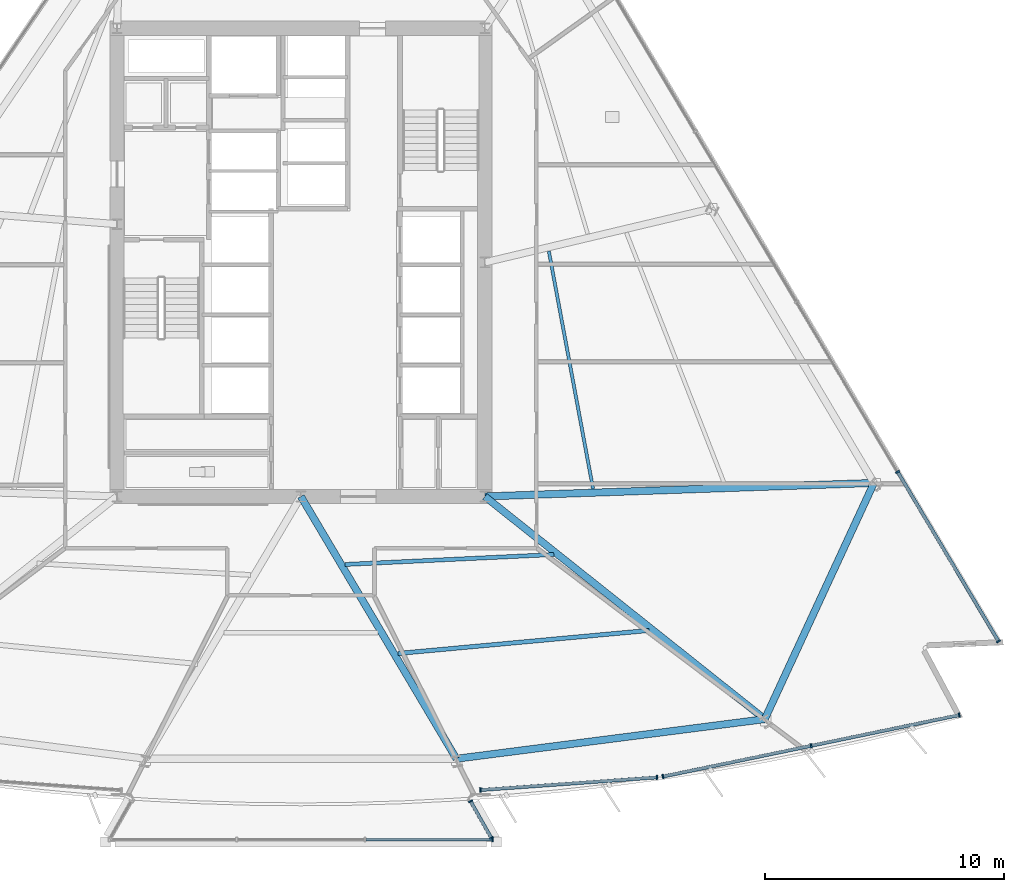
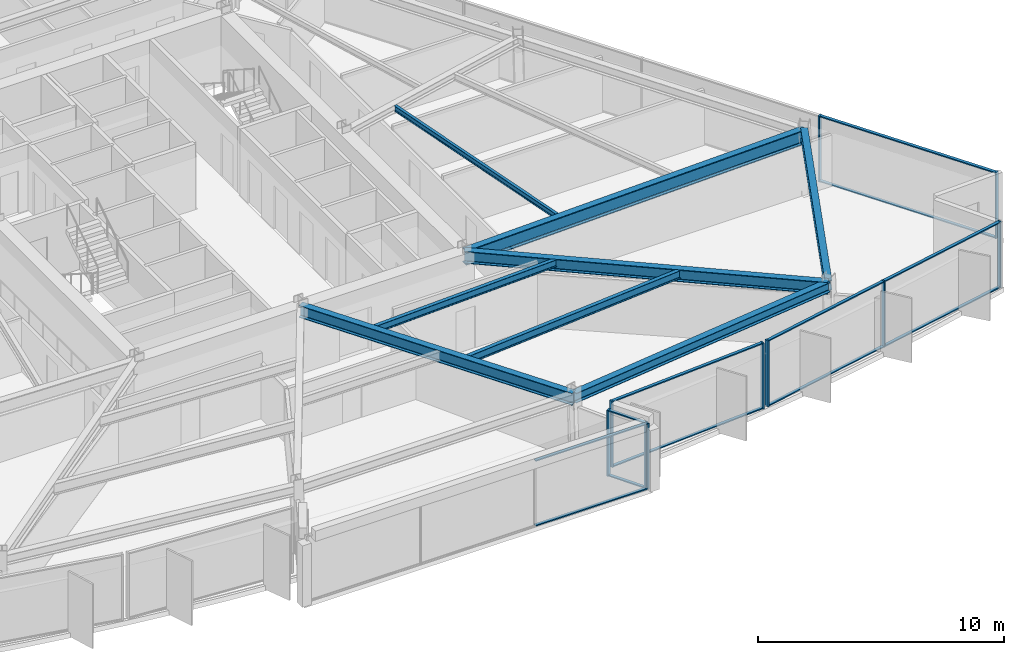
# One storey, part 5 of 16: 22 members, 8 beams, 5 elements without a shape of their own.
"""IFC4 building model written with IfcOpenShell, lengths in metres."""

from ifc_helpers import new_model, si_unit, direction, frame, origin, origin_2d, place, context, subcontext, project, spatial, rectangle, i_section, extrude, material, material_profile, profile_set, type_object, element, aggregate, save


model = new_model("IFC4")

# Units and contexts
model_context = context("Model", 3, precision=1e-05, world=origin(), true_north=direction((0.0, 1.0)))
body_context = subcontext(model_context, "Body", "Model", "MODEL_VIEW")
ifc_project = project(units=[si_unit("LENGTHUNIT", "METRE"), si_unit("AREAUNIT", "SQUARE_METRE"), si_unit("VOLUMEUNIT", "CUBIC_METRE"), si_unit("PLANEANGLEUNIT", "RADIAN"), si_unit("MASSUNIT", "GRAM", prefix="KILO")], contexts=[model_context])

# Site, building, storey
site_placement = place(None, origin())
site = spatial("IfcSite", under=ifc_project, at=site_placement, CompositionType="ELEMENT")
building_placement = place(site_placement, origin())
building = spatial("IfcBuilding", under=site, at=building_placement, Name="Savorim Split Tower", CompositionType="ELEMENT")
storey_placement = place(building_placement, frame((0.0, 0.0, 69.60009765625)))
storey = spatial("IfcBuildingStorey", under=building, at=storey_placement, Name="L18", CompositionType="ELEMENT", Elevation=69.60009765625)

# Beams
ifc_material_1 = material(Name="Steel S355", Category="steel")
ifc_material_profile_1 = material_profile(ifc_material_1, i_section(OverallWidth=0.135009765625, OverallDepth=0.27001953125, WebThickness=0.006591796875, FlangeThickness=0.01025390625, FilletRadius=0.014892578125, at=origin_2d()), Name="IPE 270")
ifc_profile_set_1 = profile_set([ifc_material_profile_1], Name="Steel S355")
beam_type_1 = type_object("IfcBeamType", Name="BM-JST-IPE270", PredefinedType="JOIST", material=ifc_profile_set_1)
beam_1_placement = place(storey_placement, frame((12.232666015625, -9.084228515625, 3.14501953125), z_axis=(-0.182992987881, 0.983114218383, 0.0), x_axis=(-0.983114218383, -0.182992987881, 0.0)))
element("IfcBeam", 1, at=beam_1_placement, inside=storey, type_object=beam_type_1, Name="L18 Secondary Floor Joist JS-08", PredefinedType="JOIST", context=body_context, shape_type="SweptSolid", body=[
    extrude(i_section(OverallWidth=0.135009765625, OverallDepth=0.27001953125, WebThickness=0.006591796875, FlangeThickness=0.01025390625, FilletRadius=0.014892578125, at=origin_2d()), origin(), (0.0, 0.0, 1.0), 10.12744140625),
])
ifc_material_profile_2 = material_profile(ifc_material_1, i_section(OverallWidth=0.169921875, OverallDepth=0.360107421875, WebThickness=0.008056640625, FlangeThickness=0.0126953125, FilletRadius=0.01806640625, at=origin_2d()), Name="IPE 360")
ifc_profile_set_2 = profile_set([ifc_material_profile_2], Name="Steel S355")
beam_type_2 = type_object("IfcBeamType", Name="BM-JST-IPE360", PredefinedType="JOIST", material=ifc_profile_set_2)
beam_2_placement = place(storey_placement, frame((1.85205078125, -12.247802734375, 3.099853515625), z_axis=(0.998867885068, 0.047570454895, 0.0), x_axis=(-0.047570454895, 0.998867885068, 0.0)))
element("IfcBeam", 2, at=beam_2_placement, inside=storey, type_object=beam_type_2, Name="L18 Secondary Floor Joist JS-05", PredefinedType="JOIST", context=body_context, shape_type="SweptSolid", body=[
    extrude(i_section(OverallWidth=0.169921875, OverallDepth=0.360107421875, WebThickness=0.008056640625, FlangeThickness=0.0126953125, FilletRadius=0.01806640625, at=origin_2d()), origin(), (0.0, 0.0, 1.0), 8.745361328125),
])
ifc_material_profile_3 = material_profile(ifc_material_1, i_section(OverallWidth=0.179931640625, OverallDepth=0.39990234375, WebThickness=0.008544921875, FlangeThickness=0.013427734375, FilletRadius=0.02099609375, at=origin_2d()), Name="IPE 400")
ifc_profile_set_3 = profile_set([ifc_material_profile_3], Name="Steel S355")
beam_type_3 = type_object("IfcBeamType", Name="BM-JST-IPE400", PredefinedType="JOIST", material=ifc_profile_set_3)
beam_3_placement = place(storey_placement, frame((4.064453125, -15.974609375, 3.079833984375), z_axis=(0.995804742717, 0.091503630433, 0.0), x_axis=(-0.091503630433, 0.995804742717, 0.0)))
element("IfcBeam", 3, at=beam_3_placement, inside=storey, type_object=beam_type_3, Name="L18 Secondary Floor Joist JS-04", PredefinedType="JOIST", context=body_context, shape_type="SweptSolid", body=[
    extrude(i_section(OverallWidth=0.179931640625, OverallDepth=0.39990234375, WebThickness=0.008544921875, FlangeThickness=0.013427734375, FilletRadius=0.02099609375, at=origin_2d()), origin(), (0.0, 0.0, 1.0), 10.55224609375),
])
ifc_material_profile_4 = material_profile(ifc_material_1, i_section(OverallWidth=0.300048828125, OverallDepth=0.60009765625, WebThickness=0.015380859375, FlangeThickness=0.030029296875, FilletRadius=0.027099609375, at=origin_2d()), Name="HEB 600")
ifc_profile_set_4 = profile_set([ifc_material_profile_4], Name="Steel S355")
beam_type_4 = type_object("IfcBeamType", Name="BM-PRI-HEB600", PredefinedType="BEAM", material=ifc_profile_set_4)
beam_4_placement = place(storey_placement, frame((6.508544921875, -20.3818359375, 2.97998046875), z_axis=(-0.509844852296, 0.860266369555, 0.0), x_axis=(-0.860266369555, -0.509844852296, 0.0)))
element("IfcBeam", 4, at=beam_4_placement, inside=storey, type_object=beam_type_4, Name="L18 Primary Floor Girder RG-03", PredefinedType="BEAM", context=body_context, shape_type="SweptSolid", body=[
    extrude(i_section(OverallWidth=0.300048828125, OverallDepth=0.60009765625, WebThickness=0.015380859375, FlangeThickness=0.030029296875, FilletRadius=0.027099609375, at=origin_2d()), origin(), (0.0, 0.0, 1.0), 12.765625),
])
beam_5_placement = place(storey_placement, frame((19.419677734375, -18.72412109375, 2.97998046875), z_axis=(-0.782545457248, 0.622593452696, 0.0), x_axis=(-0.622593452696, -0.782545457248, 0.0)))
element("IfcBeam", 5, at=beam_5_placement, inside=storey, type_object=beam_type_4, Name="L18 Primary Floor Girder RG-04", PredefinedType="BEAM", context=body_context, shape_type="SweptSolid", body=[
    extrude(i_section(OverallWidth=0.300048828125, OverallDepth=0.60009765625, WebThickness=0.015380859375, FlangeThickness=0.030029296875, FilletRadius=0.027099609375, at=origin_2d()), origin(), (0.0, 0.0, 1.0), 14.976318359375),
])
ifc_material_2 = material(Name="Steel S460", Category="steel")
ifc_material_profile_5 = material_profile(ifc_material_2, i_section(OverallWidth=0.303955078125, OverallDepth=0.716064453125, WebThickness=0.02099609375, FlangeThickness=0.0400390625, FilletRadius=0.027099609375, at=origin_2d()), Name="HE 700 M")
ifc_profile_set_5 = profile_set([ifc_material_profile_5], Name="Steel S460")
beam_type_5 = type_object("IfcBeamType", Name="BM-PRI-HEM700", PredefinedType="BEAM", material=ifc_profile_set_5)
beam_6_placement = place(storey_placement, frame((23.99267578125, -8.83447265625, 2.921875), z_axis=(-0.999398344759, -0.03468354786, 0.0), x_axis=(0.03468354786, -0.999398344759, 0.0)))
element("IfcBeam", 6, at=beam_6_placement, inside=storey, type_object=beam_type_5, Name="L18 Primary Floor Girder RG-05", PredefinedType="BEAM", context=body_context, shape_type="SweptSolid", body=[
    extrude(i_section(OverallWidth=0.303955078125, OverallDepth=0.716064453125, WebThickness=0.02099609375, FlangeThickness=0.0400390625, FilletRadius=0.027099609375, at=origin_2d()), origin(), (0.0, 0.0, 1.0), 16.302490234375),
])
ifc_material_profile_6 = material_profile(ifc_material_1, i_section(OverallWidth=0.300048828125, OverallDepth=0.489990234375, WebThickness=0.011962890625, FlangeThickness=0.02294921875, FilletRadius=0.027099609375, at=origin_2d()), Name="HEA 500")
ifc_profile_set_6 = profile_set([ifc_material_profile_6], Name="Steel S355")
beam_type_6 = type_object("IfcBeamType", Name="BM-SPN-HEA500", PredefinedType="SPANDREL", material=ifc_profile_set_6)
beam_7_placement = place(storey_placement, frame((6.508544921875, -20.3818359375, 3.034912109375), z_axis=(0.991857991032, 0.127348834413, 0.0), x_axis=(-0.127348834413, 0.991857991032, 0.0)))
element("IfcBeam", 7, at=beam_7_placement, inside=storey, type_object=beam_type_6, Name="L18 Perimeter Spandrel Beam 3", PredefinedType="SPANDREL", context=body_context, shape_type="SweptSolid", body=[
    extrude(i_section(OverallWidth=0.300048828125, OverallDepth=0.489990234375, WebThickness=0.011962890625, FlangeThickness=0.02294921875, FilletRadius=0.027099609375, at=origin_2d()), origin(), (0.0, 0.0, 1.0), 13.01708984375),
])
beam_8_placement = place(storey_placement, frame((19.419677734375, -18.72412109375, 3.034912109375), z_axis=(0.419704593729, 0.907660759317, 0.0), x_axis=(-0.907660759317, 0.419704593729, 0.0)))
element("IfcBeam", 8, at=beam_8_placement, inside=storey, type_object=beam_type_6, Name="L18 Perimeter Spandrel Beam 4", PredefinedType="SPANDREL", context=body_context, shape_type="SweptSolid", body=[
    extrude(i_section(OverallWidth=0.300048828125, OverallDepth=0.489990234375, WebThickness=0.011962890625, FlangeThickness=0.02294921875, FilletRadius=0.027099609375, at=origin_2d()), origin(), (0.0, 0.0, 1.0), 10.895751953125),
])

# Curtain wall, members
ifc_material_3 = material(Name="Dark Ceramic-Fritted Insulated Glass", Category="glass")
curtain_wall_type_1 = type_object("IfcCurtainWallType", Name="CW-TWR-FRIT-A", PredefinedType="NOTDEFINED", material=ifc_material_3)
curtain_wall_1_placement = place(storey_placement, origin())
curtain_wall_1 = element("IfcCurtainWall", 9, at=curtain_wall_1_placement, inside=storey, type_object=curtain_wall_type_1, Name="L18 Curtain Wall CW-L18-SF3A", PredefinedType="NOTDEFINED")
ifc_material_4 = material(Name="Charcoal Anodised Aluminium", Category="aluminium")
ifc_material_profile_7 = material_profile(ifc_material_4, rectangle(XDim=0.179931640625, YDim=0.06494140625, at=origin_2d()), Name="ALU-M 180x65")
ifc_profile_set_7 = profile_set([ifc_material_profile_7], Name="Charcoal Anodised Aluminium")
member_type_1 = type_object("IfcMemberType", Name="CWM-180x65", PredefinedType="MULLION", material=ifc_profile_set_7)
member_1_placement = place(storey_placement, frame((7.515380859375, -21.69091796875, 0.0), z_axis=(0.0, 0.0, 1.0), x_axis=(-0.071546359352, 0.997437275453, 0.0)))
member_1 = element("IfcMember", 10, at=member_1_placement, type_object=member_type_1, Name="CW-02 mullion 1", PredefinedType="MULLION", context=body_context, shape_type="SweptSolid", body=[
    extrude(rectangle(XDim=0.179931640625, YDim=0.06494140625, at=origin_2d()), origin(), (0.0, 0.0, 1.0), 3.27978515625),
])
member_2_placement = place(storey_placement, frame((14.910400390625, -21.160400390625, 0.0), z_axis=(0.0, 0.0, 1.0), x_axis=(-0.071546359352, 0.997437275453, 0.0)))
member_2 = element("IfcMember", 11, at=member_2_placement, type_object=member_type_1, Name="CW-02 mullion 2", PredefinedType="MULLION", context=body_context, shape_type="SweptSolid", body=[
    extrude(rectangle(XDim=0.179931640625, YDim=0.06494140625, at=origin_2d()), origin(), (0.0, 0.0, 1.0), 3.27978515625),
])

curtain_wall_2_placement = place(storey_placement, origin())
curtain_wall_2 = element("IfcCurtainWall", 12, at=curtain_wall_2_placement, inside=storey, type_object=curtain_wall_type_1, Name="L18 Curtain Wall CW-L18-SF4A", PredefinedType="NOTDEFINED")
member_3_placement = place(storey_placement, frame((15.156494140625, -21.126220703125, 0.0), z_axis=(0.0, 0.0, 1.0), x_axis=(-0.203216172809, 0.979133896415, 0.0)))
member_3 = element("IfcMember", 13, at=member_3_placement, type_object=member_type_1, Name="CW-02 mullion 1", PredefinedType="MULLION", context=body_context, shape_type="SweptSolid", body=[
    extrude(rectangle(XDim=0.179931640625, YDim=0.06494140625, at=origin_2d()), origin(), (0.0, 0.0, 1.0), 3.27978515625),
])
member_4_placement = place(storey_placement, frame((21.3603515625, -19.838623046875, 0.0), z_axis=(0.0, 0.0, 1.0), x_axis=(-0.203216172809, 0.979133896415, 0.0)))
member_4 = element("IfcMember", 14, at=member_4_placement, type_object=member_type_1, Name="CW-02 mullion 2", PredefinedType="MULLION", context=body_context, shape_type="SweptSolid", body=[
    extrude(rectangle(XDim=0.179931640625, YDim=0.06494140625, at=origin_2d()), origin(), (0.0, 0.0, 1.0), 3.27978515625),
])
member_5_placement = place(storey_placement, frame((27.564208984375, -18.551025390625, 0.0), z_axis=(0.0, 0.0, 1.0), x_axis=(-0.203216172809, 0.979133896415, 0.0)))
member_5 = element("IfcMember", 15, at=member_5_placement, type_object=member_type_1, Name="CW-02 mullion 3", PredefinedType="MULLION", context=body_context, shape_type="SweptSolid", body=[
    extrude(rectangle(XDim=0.179931640625, YDim=0.06494140625, at=origin_2d()), origin(), (0.0, 0.0, 1.0), 3.27978515625),
])

# Curtain wall, member
curtain_wall_type_2 = type_object("IfcCurtainWallType", Name="CW-BAY-LOUNGE", PredefinedType="NOTDEFINED", material=ifc_material_3)
curtain_wall_3_placement = place(storey_placement, origin())
curtain_wall_3 = element("IfcCurtainWall", 16, at=curtain_wall_3_placement, inside=storey, type_object=curtain_wall_type_2, Name="L18 Curtain Wall CW-L18-BAYF", PredefinedType="NOTDEFINED")
member_6_placement = place(storey_placement, frame((8.025146484375, -23.759765625, 0.0), z_axis=(0.0, 0.0, 1.0), x_axis=(0.0, 1.0, 0.0)))
member_6 = element("IfcMember", 17, at=member_6_placement, type_object=member_type_1, Name="CW-04 mullion 4", PredefinedType="MULLION", context=body_context, shape_type="SweptSolid", body=[
    extrude(rectangle(XDim=0.179931640625, YDim=0.06494140625, at=origin_2d()), origin(), (0.0, 0.0, 1.0), 3.27978515625),
])

# Curtain wall, members
curtain_wall_4_placement = place(storey_placement, origin())
curtain_wall_4 = element("IfcCurtainWall", 18, at=curtain_wall_4_placement, inside=storey, type_object=curtain_wall_type_2, Name="L18 Curtain Wall CW-L18-BAYE", PredefinedType="NOTDEFINED")
member_7_placement = place(storey_placement, frame((7.9736328125, -23.702392578125, 0.0), z_axis=(0.0, 0.0, 1.0), x_axis=(-0.870451171498, -0.492254769442, 0.0)))
member_7 = element("IfcMember", 19, at=member_7_placement, type_object=member_type_1, Name="CW-04 mullion 1", PredefinedType="MULLION", context=body_context, shape_type="SweptSolid", body=[
    extrude(rectangle(XDim=0.179931640625, YDim=0.06494140625, at=origin_2d()), origin(), (0.0, 0.0, 1.0), 3.27978515625),
])
member_8_placement = place(storey_placement, frame((7.102294921875, -22.16162109375, 0.0), z_axis=(0.0, 0.0, 1.0), x_axis=(-0.870451171498, -0.492254769442, 0.0)))
member_8 = element("IfcMember", 20, at=member_8_placement, type_object=member_type_1, Name="CW-04 mullion 2", PredefinedType="MULLION", context=body_context, shape_type="SweptSolid", body=[
    extrude(rectangle(XDim=0.179931640625, YDim=0.06494140625, at=origin_2d()), origin(), (0.0, 0.0, 1.0), 3.27978515625),
])

curtain_wall_5_placement = place(storey_placement, origin())
curtain_wall_5 = element("IfcCurtainWall", 21, at=curtain_wall_5_placement, inside=storey, type_object=curtain_wall_type_1, Name="L18 Curtain Wall CW-L18-EAST", PredefinedType="NOTDEFINED")
member_9_placement = place(storey_placement, frame((29.2041015625, -15.4658203125, 0.0), z_axis=(0.0, 0.0, 1.0), x_axis=(-0.859525822673, -0.511092320583, 0.0)))
member_9 = element("IfcMember", 22, at=member_9_placement, type_object=member_type_1, Name="CW-02 mullion 1", PredefinedType="MULLION", context=body_context, shape_type="SweptSolid", body=[
    extrude(rectangle(XDim=0.179931640625, YDim=0.06494140625, at=origin_2d()), origin(), (0.0, 0.0, 1.0), 3.27978515625),
])
member_10_placement = place(storey_placement, frame((24.9853515625, -8.371337890625, 0.0), z_axis=(0.0, 0.0, 1.0), x_axis=(-0.859525822673, -0.511092320583, 0.0)))
member_10 = element("IfcMember", 23, at=member_10_placement, type_object=member_type_1, Name="CW-02 mullion 2", PredefinedType="MULLION", context=body_context, shape_type="SweptSolid", body=[
    extrude(rectangle(XDim=0.179931640625, YDim=0.06494140625, at=origin_2d()), origin(), (0.0, 0.0, 1.0), 3.27978515625),
])

# Member
ifc_material_profile_8 = material_profile(ifc_material_4, rectangle(XDim=0.139892578125, YDim=0.054931640625, at=origin_2d()), Name="ALU-T 140x55")
ifc_profile_set_8 = profile_set([ifc_material_profile_8], Name="Charcoal Anodised Aluminium")
member_type_2 = type_object("IfcMemberType", Name="CWT-140x55", PredefinedType="USERDEFINED", material=ifc_profile_set_8)
member_11_placement = place(storey_placement, frame((7.5478515625, -21.6884765625, 0.02734375), z_axis=(0.997438931774, 0.071523264616, 0.0), x_axis=(-0.071523264616, 0.997438931774, 0.0)))
member_11 = element("IfcMember", 24, at=member_11_placement, type_object=member_type_2, Name="CW-02 transom 1.1", ObjectType="TRANSOM", PredefinedType="USERDEFINED", context=body_context, shape_type="SweptSolid", body=[
    extrude(rectangle(XDim=0.139892578125, YDim=0.054931640625, at=origin_2d()), origin(), (0.0, 0.0, 1.0), 7.34912109375),
])

member_12_placement = place(storey_placement, frame((7.5478515625, -21.6884765625, 3.25244140625), z_axis=(0.997438931774, 0.071523264616, 0.0), x_axis=(-0.071523264616, 0.997438931774, 0.0)))
member_12 = element("IfcMember", 25, at=member_12_placement, type_object=member_type_2, Name="CW-02 transom 1.2", ObjectType="TRANSOM", PredefinedType="USERDEFINED", context=body_context, shape_type="SweptSolid", body=[
    extrude(rectangle(XDim=0.139892578125, YDim=0.054931640625, at=origin_2d()), origin(), (0.0, 0.0, 1.0), 7.34912109375),
])

aggregate(curtain_wall_1, [member_1, member_2, member_11, member_12])

member_13_placement = place(storey_placement, frame((15.188232421875, -21.11962890625, 0.02734375), z_axis=(0.979133983621, 0.203215752634, 0.0), x_axis=(-0.203215752634, 0.979133983621, 0.0)))
member_13 = element("IfcMember", 26, at=member_13_placement, type_object=member_type_2, Name="CW-02 transom 1.1", ObjectType="TRANSOM", PredefinedType="USERDEFINED", context=body_context, shape_type="SweptSolid", body=[
    extrude(rectangle(XDim=0.139892578125, YDim=0.054931640625, at=origin_2d()), origin(), (0.0, 0.0, 1.0), 6.271240234375),
])

member_14_placement = place(storey_placement, frame((15.188232421875, -21.11962890625, 3.25244140625), z_axis=(0.979133983621, 0.203215752634, 0.0), x_axis=(-0.203215752634, 0.979133983621, 0.0)))
member_14 = element("IfcMember", 27, at=member_14_placement, type_object=member_type_2, Name="CW-02 transom 1.2", ObjectType="TRANSOM", PredefinedType="USERDEFINED", context=body_context, shape_type="SweptSolid", body=[
    extrude(rectangle(XDim=0.139892578125, YDim=0.054931640625, at=origin_2d()), origin(), (0.0, 0.0, 1.0), 6.271240234375),
])

member_15_placement = place(storey_placement, frame((21.392333984375, -19.83203125, 0.02734375), z_axis=(0.979132375842, 0.203223499081, 0.0), x_axis=(-0.203223499081, 0.979132375842, 0.0)))
member_15 = element("IfcMember", 28, at=member_15_placement, type_object=member_type_2, Name="CW-02 transom 2.1", ObjectType="TRANSOM", PredefinedType="USERDEFINED", context=body_context, shape_type="SweptSolid", body=[
    extrude(rectangle(XDim=0.139892578125, YDim=0.054931640625, at=origin_2d()), origin(), (0.0, 0.0, 1.0), 6.27099609375),
])

member_16_placement = place(storey_placement, frame((21.392333984375, -19.83203125, 3.25244140625), z_axis=(0.979132375842, 0.203223499081, 0.0), x_axis=(-0.203223499081, 0.979132375842, 0.0)))
member_16 = element("IfcMember", 29, at=member_16_placement, type_object=member_type_2, Name="CW-02 transom 2.2", ObjectType="TRANSOM", PredefinedType="USERDEFINED", context=body_context, shape_type="SweptSolid", body=[
    extrude(rectangle(XDim=0.139892578125, YDim=0.054931640625, at=origin_2d()), origin(), (0.0, 0.0, 1.0), 6.27099609375),
])

aggregate(curtain_wall_2, [member_3, member_4, member_5, member_13, member_14, member_15, member_16])

member_17_placement = place(storey_placement, frame((2.71826171875, -23.759765625, 0.02734375), z_axis=(1.0, 0.0, 0.0), x_axis=(0.0, 1.0, 0.0)))
member_17 = element("IfcMember", 30, at=member_17_placement, type_object=member_type_2, Name="CW-04 transom 3.1", ObjectType="TRANSOM", PredefinedType="USERDEFINED", context=body_context, shape_type="SweptSolid", body=[
    extrude(rectangle(XDim=0.139892578125, YDim=0.054931640625, at=origin_2d()), origin(), (0.0, 0.0, 1.0), 5.2744140625),
])

member_18_placement = place(storey_placement, frame((2.71826171875, -23.759765625, 3.25244140625), z_axis=(1.0, 0.0, 0.0), x_axis=(0.0, 1.0, 0.0)))
member_18 = element("IfcMember", 31, at=member_18_placement, type_object=member_type_2, Name="CW-04 transom 3.2", ObjectType="TRANSOM", PredefinedType="USERDEFINED", context=body_context, shape_type="SweptSolid", body=[
    extrude(rectangle(XDim=0.139892578125, YDim=0.054931640625, at=origin_2d()), origin(), (0.0, 0.0, 1.0), 5.2744140625),
])

aggregate(curtain_wall_3, [member_6, member_17, member_18])

member_19_placement = place(storey_placement, frame((7.95751953125, -23.674072265625, 0.02734375), z_axis=(-0.492170497678, 0.870498823213, 0.0), x_axis=(-0.870498823213, -0.492170497678, 0.0)))
member_19 = element("IfcMember", 32, at=member_19_placement, type_object=member_type_2, Name="CW-04 transom 1.1", ObjectType="TRANSOM", PredefinedType="USERDEFINED", context=body_context, shape_type="SweptSolid", body=[
    extrude(rectangle(XDim=0.139892578125, YDim=0.054931640625, at=origin_2d()), origin(), (0.0, 0.0, 1.0), 1.704833984375),
])

member_20_placement = place(storey_placement, frame((7.95751953125, -23.674072265625, 3.25244140625), z_axis=(-0.492170497678, 0.870498823213, 0.0), x_axis=(-0.870498823213, -0.492170497678, 0.0)))
member_20 = element("IfcMember", 33, at=member_20_placement, type_object=member_type_2, Name="CW-04 transom 1.2", ObjectType="TRANSOM", PredefinedType="USERDEFINED", context=body_context, shape_type="SweptSolid", body=[
    extrude(rectangle(XDim=0.139892578125, YDim=0.054931640625, at=origin_2d()), origin(), (0.0, 0.0, 1.0), 1.704833984375),
])

aggregate(curtain_wall_4, [member_7, member_8, member_19, member_20])

member_21_placement = place(storey_placement, frame((29.1875, -15.43798828125, 0.02734375), z_axis=(-0.511102775567, 0.859519605831, 0.0), x_axis=(-0.859519605831, -0.511102775567, 0.0)))
member_21 = element("IfcMember", 34, at=member_21_placement, type_object=member_type_2, Name="CW-02 transom 1.1", ObjectType="TRANSOM", PredefinedType="USERDEFINED", context=body_context, shape_type="SweptSolid", body=[
    extrude(rectangle(XDim=0.139892578125, YDim=0.054931640625, at=origin_2d()), origin(), (0.0, 0.0, 1.0), 8.189208984375),
])

member_22_placement = place(storey_placement, frame((29.1875, -15.43798828125, 3.25244140625), z_axis=(-0.511102775567, 0.859519605831, 0.0), x_axis=(-0.859519605831, -0.511102775567, 0.0)))
member_22 = element("IfcMember", 35, at=member_22_placement, type_object=member_type_2, Name="CW-02 transom 1.2", ObjectType="TRANSOM", PredefinedType="USERDEFINED", context=body_context, shape_type="SweptSolid", body=[
    extrude(rectangle(XDim=0.139892578125, YDim=0.054931640625, at=origin_2d()), origin(), (0.0, 0.0, 1.0), 8.189208984375),
])

aggregate(curtain_wall_5, [member_9, member_10, member_21, member_22])

save(model, "model.ifc")
